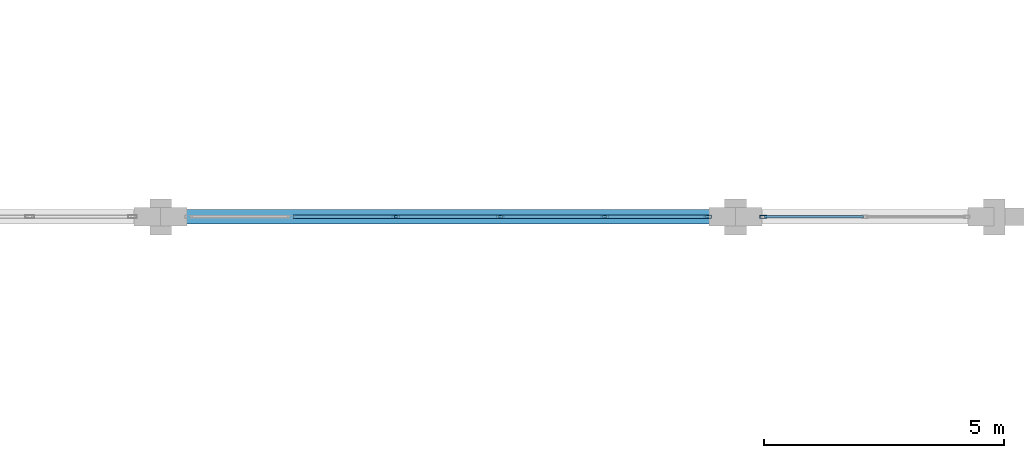
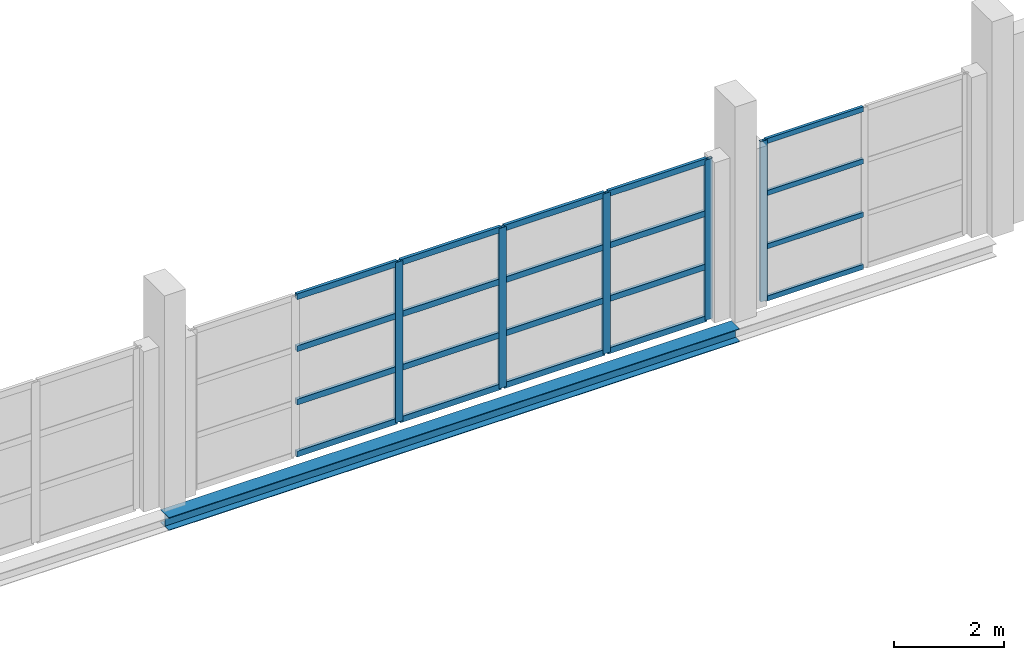
# One storey, part 79 of 147: 25 members, 1 beam, 2 elements without a shape of their own.
"""IFC4 building model written with IfcOpenShell, lengths in metres."""

from ifc_helpers import new_model, si_unit, direction, frame, origin, origin_2d, place, context, subcontext, project, spatial, hollow_rectangle, i_section, extrude, material, layer, layer_set, material_profile, profile_set, type_object, element, aggregate, save


model = new_model("IFC4")

# Units and contexts
model_context = context("Model", 3, precision=1e-05, world=origin(), true_north=direction((0.0, 1.0)))
body_context = subcontext(model_context, "Body", "Model", "MODEL_VIEW")
ifc_project = project(units=[si_unit("LENGTHUNIT", "METRE"), si_unit("AREAUNIT", "SQUARE_METRE"), si_unit("VOLUMEUNIT", "CUBIC_METRE"), si_unit("PLANEANGLEUNIT", "RADIAN"), si_unit("MASSUNIT", "GRAM", prefix="KILO")], contexts=[model_context])

# Site, building, storey
site_placement = place(None, origin())
site = spatial("IfcSite", under=ifc_project, at=site_placement, CompositionType="ELEMENT")
building_placement = place(site_placement, origin())
building = spatial("IfcBuilding", under=site, at=building_placement, Name="Zilviju Railside Exhibition Hall", CompositionType="ELEMENT")
storey_placement = place(building_placement, frame((0.0, 0.0, 8.39990234375)))
storey = spatial("IfcBuildingStorey", under=building, at=storey_placement, Name="L03", CompositionType="ELEMENT", Elevation=8.39990234375)

# Beam
ifc_material_1 = material(Name="Steel S355J2", Category="steel")
ifc_material_profile_1 = material_profile(ifc_material_1, i_section(OverallWidth=0.300048828125, OverallDepth=0.2900390625, WebThickness=0.008544921875, FlangeThickness=0.013916015625, at=origin_2d()), Name="HEA 300")
ifc_profile_set_1 = profile_set([ifc_material_profile_1], Name="Steel S355J2")
beam_type = type_object("IfcBeamType", Name="BM-HEA300", PredefinedType="SPANDREL", material=ifc_profile_set_1)
beam_placement = place(storey_placement, frame((156.0, 54.0, -0.48486328125), z_axis=(1.0, 0.0, 0.0), x_axis=(0.0, 1.0, 0.0)))
element("IfcBeam", 1, at=beam_placement, inside=storey, type_object=beam_type, Name="Primary Girder L03 Y=54.0 (156.0..168.0)", PredefinedType="SPANDREL", context=body_context, shape_type="SweptSolid", body=[
    extrude(i_section(OverallWidth=0.300048828125, OverallDepth=0.2900390625, WebThickness=0.008544921875, FlangeThickness=0.013916015625, at=origin_2d()), origin(), (0.0, 0.0, 1.0), 12.0),
])

# Curtain wall, member
ifc_material_2 = material(Name="Thermally broken aluminium-steel triple-glazed curtain wall", Category="steel")
ifc_layer_1 = layer(ifc_material_2, 0.179931640625)
ifc_layer_set_1 = layer_set([ifc_layer_1], Name="Thermally broken aluminium-steel triple-glazed curtain wall")
curtain_wall_type_1 = type_object("IfcCurtainWallType", Name="CW-BAY-11", PredefinedType="USERDEFINED", material=ifc_layer_set_1)
curtain_wall_1_placement = place(storey_placement, origin())
curtain_wall_1 = element("IfcCurtainWall", 2, at=curtain_wall_1_placement, inside=storey, type_object=curtain_wall_type_1, Name="South Hall Garden Court Curtain Wall L03 (168..173)", ObjectType="GLAZED CURTAIN WALL", PredefinedType="USERDEFINED")
ifc_material_3 = material(Name="Thermally broken anodized aluminium mullion", Category="aluminium")
ifc_material_profile_2 = material_profile(ifc_material_3, hollow_rectangle(XDim=0.06005859375, YDim=0.139892578125, WallThickness=0.0048828125, at=origin_2d()), Name="MULLION 140x60x5")
ifc_profile_set_2 = profile_set([ifc_material_profile_2], Name="Thermally broken anodized aluminium mullion")
member_type_1 = type_object("IfcMemberType", Name="CWM-60x140", PredefinedType="MULLION", material=ifc_profile_set_2)
member_1_placement = place(storey_placement, frame((168.580078125, 54.0, 0.0), z_axis=(0.0, 0.0, 1.0), x_axis=(0.0, 1.0, 0.0)))
member_1 = element("IfcMember", 3, at=member_1_placement, type_object=member_type_1, Name="CW-11 mullion 1", PredefinedType="MULLION", context=body_context, shape_type="SweptSolid", body=[
    extrude(hollow_rectangle(XDim=0.06005859375, YDim=0.139892578125, WallThickness=0.0048828125, at=origin_2d()), origin(), (0.0, 0.0, 1.0), 3.56005859375),
])

# Curtain wall, members
ifc_layer_2 = layer(ifc_material_2, 0.179931640625)
ifc_layer_set_2 = layer_set([ifc_layer_2], Name="Thermally broken aluminium-steel triple-glazed curtain wall")
curtain_wall_type_2 = type_object("IfcCurtainWallType", Name="CW-BAY-10", PredefinedType="USERDEFINED", material=ifc_layer_set_2)
curtain_wall_2_placement = place(storey_placement, origin())
curtain_wall_2 = element("IfcCurtainWall", 4, at=curtain_wall_2_placement, inside=storey, type_object=curtain_wall_type_2, Name="South Hall Garden Court Curtain Wall L03 (156..168)", ObjectType="GLAZED CURTAIN WALL", PredefinedType="USERDEFINED")
ifc_material_profile_3 = material_profile(ifc_material_3, hollow_rectangle(XDim=0.06494140625, YDim=0.159912109375, WallThickness=0.0048828125, at=origin_2d()), Name="MULLION 160x65x5")
ifc_profile_set_3 = profile_set([ifc_material_profile_3], Name="Thermally broken anodized aluminium mullion")
member_type_2 = type_object("IfcMemberType", Name="CWM-65x160", PredefinedType="MULLION", material=ifc_profile_set_3)
member_2_placement = place(storey_placement, frame((160.909912109375, 54.0, 0.0), z_axis=(0.0, 0.0, 1.0), x_axis=(0.0, 1.0, 0.0)))
member_2 = element("IfcMember", 5, at=member_2_placement, type_object=member_type_2, Name="CW-10 mullion 3", PredefinedType="MULLION", context=body_context, shape_type="SweptSolid", body=[
    extrude(hollow_rectangle(XDim=0.06494140625, YDim=0.159912109375, WallThickness=0.0048828125, at=origin_2d()), origin(), (0.0, 0.0, 1.0), 3.56005859375),
])
member_3_placement = place(storey_placement, frame((163.090087890625, 54.0, 0.0), z_axis=(0.0, 0.0, 1.0), x_axis=(0.0, 1.0, 0.0)))
member_3 = element("IfcMember", 6, at=member_3_placement, type_object=member_type_2, Name="CW-10 mullion 4", PredefinedType="MULLION", context=body_context, shape_type="SweptSolid", body=[
    extrude(hollow_rectangle(XDim=0.06494140625, YDim=0.159912109375, WallThickness=0.0048828125, at=origin_2d()), origin(), (0.0, 0.0, 1.0), 3.56005859375),
])
member_4_placement = place(storey_placement, frame((165.27001953125, 54.0, 0.0), z_axis=(0.0, 0.0, 1.0), x_axis=(0.0, 1.0, 0.0)))
member_4 = element("IfcMember", 7, at=member_4_placement, type_object=member_type_2, Name="CW-10 mullion 5", PredefinedType="MULLION", context=body_context, shape_type="SweptSolid", body=[
    extrude(hollow_rectangle(XDim=0.06494140625, YDim=0.159912109375, WallThickness=0.0048828125, at=origin_2d()), origin(), (0.0, 0.0, 1.0), 3.56005859375),
])
member_5_placement = place(storey_placement, frame((167.41748046875, 54.0, 0.0), z_axis=(0.0, 0.0, 1.0), x_axis=(0.0, 1.0, 0.0)))
member_5 = element("IfcMember", 8, at=member_5_placement, type_object=member_type_2, Name="CW-10 mullion 6", PredefinedType="MULLION", context=body_context, shape_type="SweptSolid", body=[
    extrude(hollow_rectangle(XDim=0.06494140625, YDim=0.159912109375, WallThickness=0.0048828125, at=origin_2d()), origin(), (0.0, 0.0, 1.0), 3.56005859375),
])

# Member
ifc_material_4 = material(Name="Thermally broken anodized aluminium transom", Category="aluminium")
ifc_material_profile_4 = material_profile(ifc_material_4, hollow_rectangle(XDim=0.06005859375, YDim=0.110107421875, WallThickness=0.0048828125, at=origin_2d()), Name="TRANSOM 110x60x5")
ifc_profile_set_4 = profile_set([ifc_material_profile_4], Name="Thermally broken anodized aluminium transom")
member_type_3 = type_object("IfcMemberType", Name="CWT-60x110", PredefinedType="USERDEFINED", material=ifc_profile_set_4)
member_6_placement = place(storey_placement, frame((168.610107421875, 54.0, 0.030029296875), z_axis=(1.0, 0.0, 0.0), x_axis=(0.0, 1.0, 0.0)))
member_6 = element("IfcMember", 9, at=member_6_placement, type_object=member_type_3, Name="CW-11 transom 1.1", ObjectType="TRANSOM", PredefinedType="USERDEFINED", context=body_context, shape_type="SweptSolid", body=[
    extrude(hollow_rectangle(XDim=0.06005859375, YDim=0.110107421875, WallThickness=0.0048828125, at=origin_2d()), origin(), (0.0, 0.0, 1.0), 2.059814453125),
])

member_7_placement = place(storey_placement, frame((168.610107421875, 54.0, 1.18701171875), z_axis=(1.0, 0.0, 0.0), x_axis=(0.0, 1.0, 0.0)))
member_7 = element("IfcMember", 10, at=member_7_placement, type_object=member_type_3, Name="CW-11 transom 1.2", ObjectType="TRANSOM", PredefinedType="USERDEFINED", context=body_context, shape_type="SweptSolid", body=[
    extrude(hollow_rectangle(XDim=0.06005859375, YDim=0.110107421875, WallThickness=0.0048828125, at=origin_2d()), origin(), (0.0, 0.0, 1.0), 2.059814453125),
])

member_8_placement = place(storey_placement, frame((168.610107421875, 54.0, 2.373046875), z_axis=(1.0, 0.0, 0.0), x_axis=(0.0, 1.0, 0.0)))
member_8 = element("IfcMember", 11, at=member_8_placement, type_object=member_type_3, Name="CW-11 transom 1.3", ObjectType="TRANSOM", PredefinedType="USERDEFINED", context=body_context, shape_type="SweptSolid", body=[
    extrude(hollow_rectangle(XDim=0.06005859375, YDim=0.110107421875, WallThickness=0.0048828125, at=origin_2d()), origin(), (0.0, 0.0, 1.0), 2.059814453125),
])

member_9_placement = place(storey_placement, frame((168.610107421875, 54.0, 3.530029296875), z_axis=(1.0, 0.0, 0.0), x_axis=(0.0, 1.0, 0.0)))
member_9 = element("IfcMember", 12, at=member_9_placement, type_object=member_type_3, Name="CW-11 transom 1.4", ObjectType="TRANSOM", PredefinedType="USERDEFINED", context=body_context, shape_type="SweptSolid", body=[
    extrude(hollow_rectangle(XDim=0.06005859375, YDim=0.110107421875, WallThickness=0.0048828125, at=origin_2d()), origin(), (0.0, 0.0, 1.0), 2.059814453125),
])

aggregate(curtain_wall_1, [member_1, member_6, member_7, member_8, member_9])

ifc_material_profile_5 = material_profile(ifc_material_4, hollow_rectangle(XDim=0.06494140625, YDim=0.1298828125, WallThickness=0.0048828125, at=origin_2d()), Name="TRANSOM 130x65x5")
ifc_profile_set_5 = profile_set([ifc_material_profile_5], Name="Thermally broken anodized aluminium transom")
member_type_4 = type_object("IfcMemberType", Name="CWT-65x130", PredefinedType="USERDEFINED", material=ifc_profile_set_5)
member_10_placement = place(storey_placement, frame((158.762451171875, 54.0, 0.03271484375), z_axis=(1.0, 0.0, 0.0), x_axis=(0.0, 1.0, 0.0)))
member_10 = element("IfcMember", 13, at=member_10_placement, type_object=member_type_4, Name="CW-10 transom 2.1", ObjectType="TRANSOM", PredefinedType="USERDEFINED", context=body_context, shape_type="SweptSolid", body=[
    extrude(hollow_rectangle(XDim=0.06494140625, YDim=0.1298828125, WallThickness=0.0048828125, at=origin_2d()), origin(), (0.0, 0.0, 1.0), 2.114990234375),
])

member_11_placement = place(storey_placement, frame((158.762451171875, 54.0, 1.18701171875), z_axis=(1.0, 0.0, 0.0), x_axis=(0.0, 1.0, 0.0)))
member_11 = element("IfcMember", 14, at=member_11_placement, type_object=member_type_4, Name="CW-10 transom 2.2", ObjectType="TRANSOM", PredefinedType="USERDEFINED", context=body_context, shape_type="SweptSolid", body=[
    extrude(hollow_rectangle(XDim=0.06494140625, YDim=0.1298828125, WallThickness=0.0048828125, at=origin_2d()), origin(), (0.0, 0.0, 1.0), 2.114990234375),
])

member_12_placement = place(storey_placement, frame((158.762451171875, 54.0, 2.373046875), z_axis=(1.0, 0.0, 0.0), x_axis=(0.0, 1.0, 0.0)))
member_12 = element("IfcMember", 15, at=member_12_placement, type_object=member_type_4, Name="CW-10 transom 2.3", ObjectType="TRANSOM", PredefinedType="USERDEFINED", context=body_context, shape_type="SweptSolid", body=[
    extrude(hollow_rectangle(XDim=0.06494140625, YDim=0.1298828125, WallThickness=0.0048828125, at=origin_2d()), origin(), (0.0, 0.0, 1.0), 2.114990234375),
])

member_13_placement = place(storey_placement, frame((158.762451171875, 54.0, 3.527587890625), z_axis=(1.0, 0.0, 0.0), x_axis=(0.0, 1.0, 0.0)))
member_13 = element("IfcMember", 16, at=member_13_placement, type_object=member_type_4, Name="CW-10 transom 2.4", ObjectType="TRANSOM", PredefinedType="USERDEFINED", context=body_context, shape_type="SweptSolid", body=[
    extrude(hollow_rectangle(XDim=0.06494140625, YDim=0.1298828125, WallThickness=0.0048828125, at=origin_2d()), origin(), (0.0, 0.0, 1.0), 2.114990234375),
])

member_14_placement = place(storey_placement, frame((160.9423828125, 54.0, 0.03271484375), z_axis=(1.0, 0.0, 0.0), x_axis=(0.0, 1.0, 0.0)))
member_14 = element("IfcMember", 17, at=member_14_placement, type_object=member_type_4, Name="CW-10 transom 3.1", ObjectType="TRANSOM", PredefinedType="USERDEFINED", context=body_context, shape_type="SweptSolid", body=[
    extrude(hollow_rectangle(XDim=0.06494140625, YDim=0.1298828125, WallThickness=0.0048828125, at=origin_2d()), origin(), (0.0, 0.0, 1.0), 2.115234375),
])

member_15_placement = place(storey_placement, frame((160.9423828125, 54.0, 1.18701171875), z_axis=(1.0, 0.0, 0.0), x_axis=(0.0, 1.0, 0.0)))
member_15 = element("IfcMember", 18, at=member_15_placement, type_object=member_type_4, Name="CW-10 transom 3.2", ObjectType="TRANSOM", PredefinedType="USERDEFINED", context=body_context, shape_type="SweptSolid", body=[
    extrude(hollow_rectangle(XDim=0.06494140625, YDim=0.1298828125, WallThickness=0.0048828125, at=origin_2d()), origin(), (0.0, 0.0, 1.0), 2.115234375),
])

member_16_placement = place(storey_placement, frame((160.9423828125, 54.0, 2.373046875), z_axis=(1.0, 0.0, 0.0), x_axis=(0.0, 1.0, 0.0)))
member_16 = element("IfcMember", 19, at=member_16_placement, type_object=member_type_4, Name="CW-10 transom 3.3", ObjectType="TRANSOM", PredefinedType="USERDEFINED", context=body_context, shape_type="SweptSolid", body=[
    extrude(hollow_rectangle(XDim=0.06494140625, YDim=0.1298828125, WallThickness=0.0048828125, at=origin_2d()), origin(), (0.0, 0.0, 1.0), 2.115234375),
])

member_17_placement = place(storey_placement, frame((160.9423828125, 54.0, 3.527587890625), z_axis=(1.0, 0.0, 0.0), x_axis=(0.0, 1.0, 0.0)))
member_17 = element("IfcMember", 20, at=member_17_placement, type_object=member_type_4, Name="CW-10 transom 3.4", ObjectType="TRANSOM", PredefinedType="USERDEFINED", context=body_context, shape_type="SweptSolid", body=[
    extrude(hollow_rectangle(XDim=0.06494140625, YDim=0.1298828125, WallThickness=0.0048828125, at=origin_2d()), origin(), (0.0, 0.0, 1.0), 2.115234375),
])

member_18_placement = place(storey_placement, frame((163.12255859375, 54.0, 0.03271484375), z_axis=(1.0, 0.0, 0.0), x_axis=(0.0, 1.0, 0.0)))
member_18 = element("IfcMember", 21, at=member_18_placement, type_object=member_type_4, Name="CW-10 transom 4.1", ObjectType="TRANSOM", PredefinedType="USERDEFINED", context=body_context, shape_type="SweptSolid", body=[
    extrude(hollow_rectangle(XDim=0.06494140625, YDim=0.1298828125, WallThickness=0.0048828125, at=origin_2d()), origin(), (0.0, 0.0, 1.0), 2.114990234375),
])

member_19_placement = place(storey_placement, frame((163.12255859375, 54.0, 1.18701171875), z_axis=(1.0, 0.0, 0.0), x_axis=(0.0, 1.0, 0.0)))
member_19 = element("IfcMember", 22, at=member_19_placement, type_object=member_type_4, Name="CW-10 transom 4.2", ObjectType="TRANSOM", PredefinedType="USERDEFINED", context=body_context, shape_type="SweptSolid", body=[
    extrude(hollow_rectangle(XDim=0.06494140625, YDim=0.1298828125, WallThickness=0.0048828125, at=origin_2d()), origin(), (0.0, 0.0, 1.0), 2.114990234375),
])

member_20_placement = place(storey_placement, frame((163.12255859375, 54.0, 2.373046875), z_axis=(1.0, 0.0, 0.0), x_axis=(0.0, 1.0, 0.0)))
member_20 = element("IfcMember", 23, at=member_20_placement, type_object=member_type_4, Name="CW-10 transom 4.3", ObjectType="TRANSOM", PredefinedType="USERDEFINED", context=body_context, shape_type="SweptSolid", body=[
    extrude(hollow_rectangle(XDim=0.06494140625, YDim=0.1298828125, WallThickness=0.0048828125, at=origin_2d()), origin(), (0.0, 0.0, 1.0), 2.114990234375),
])

member_21_placement = place(storey_placement, frame((163.12255859375, 54.0, 3.527587890625), z_axis=(1.0, 0.0, 0.0), x_axis=(0.0, 1.0, 0.0)))
member_21 = element("IfcMember", 24, at=member_21_placement, type_object=member_type_4, Name="CW-10 transom 4.4", ObjectType="TRANSOM", PredefinedType="USERDEFINED", context=body_context, shape_type="SweptSolid", body=[
    extrude(hollow_rectangle(XDim=0.06494140625, YDim=0.1298828125, WallThickness=0.0048828125, at=origin_2d()), origin(), (0.0, 0.0, 1.0), 2.114990234375),
])

member_22_placement = place(storey_placement, frame((165.302490234375, 54.0, 0.03271484375), z_axis=(1.0, 0.0, 0.0), x_axis=(0.0, 1.0, 0.0)))
member_22 = element("IfcMember", 25, at=member_22_placement, type_object=member_type_4, Name="CW-10 transom 5.1", ObjectType="TRANSOM", PredefinedType="USERDEFINED", context=body_context, shape_type="SweptSolid", body=[
    extrude(hollow_rectangle(XDim=0.06494140625, YDim=0.1298828125, WallThickness=0.0048828125, at=origin_2d()), origin(), (0.0, 0.0, 1.0), 2.08251953125),
])

member_23_placement = place(storey_placement, frame((165.302490234375, 54.0, 1.18701171875), z_axis=(1.0, 0.0, 0.0), x_axis=(0.0, 1.0, 0.0)))
member_23 = element("IfcMember", 26, at=member_23_placement, type_object=member_type_4, Name="CW-10 transom 5.2", ObjectType="TRANSOM", PredefinedType="USERDEFINED", context=body_context, shape_type="SweptSolid", body=[
    extrude(hollow_rectangle(XDim=0.06494140625, YDim=0.1298828125, WallThickness=0.0048828125, at=origin_2d()), origin(), (0.0, 0.0, 1.0), 2.08251953125),
])

member_24_placement = place(storey_placement, frame((165.302490234375, 54.0, 2.373046875), z_axis=(1.0, 0.0, 0.0), x_axis=(0.0, 1.0, 0.0)))
member_24 = element("IfcMember", 27, at=member_24_placement, type_object=member_type_4, Name="CW-10 transom 5.3", ObjectType="TRANSOM", PredefinedType="USERDEFINED", context=body_context, shape_type="SweptSolid", body=[
    extrude(hollow_rectangle(XDim=0.06494140625, YDim=0.1298828125, WallThickness=0.0048828125, at=origin_2d()), origin(), (0.0, 0.0, 1.0), 2.08251953125),
])

member_25_placement = place(storey_placement, frame((165.302490234375, 54.0, 3.527587890625), z_axis=(1.0, 0.0, 0.0), x_axis=(0.0, 1.0, 0.0)))
member_25 = element("IfcMember", 28, at=member_25_placement, type_object=member_type_4, Name="CW-10 transom 5.4", ObjectType="TRANSOM", PredefinedType="USERDEFINED", context=body_context, shape_type="SweptSolid", body=[
    extrude(hollow_rectangle(XDim=0.06494140625, YDim=0.1298828125, WallThickness=0.0048828125, at=origin_2d()), origin(), (0.0, 0.0, 1.0), 2.08251953125),
])

aggregate(curtain_wall_2, [member_2, member_3, member_4, member_5, member_10, member_11, member_12, member_13, member_14, member_15, member_16, member_17, member_18, member_19, member_20, member_21, member_22, member_23, member_24, member_25])

save(model, "model.ifc")
